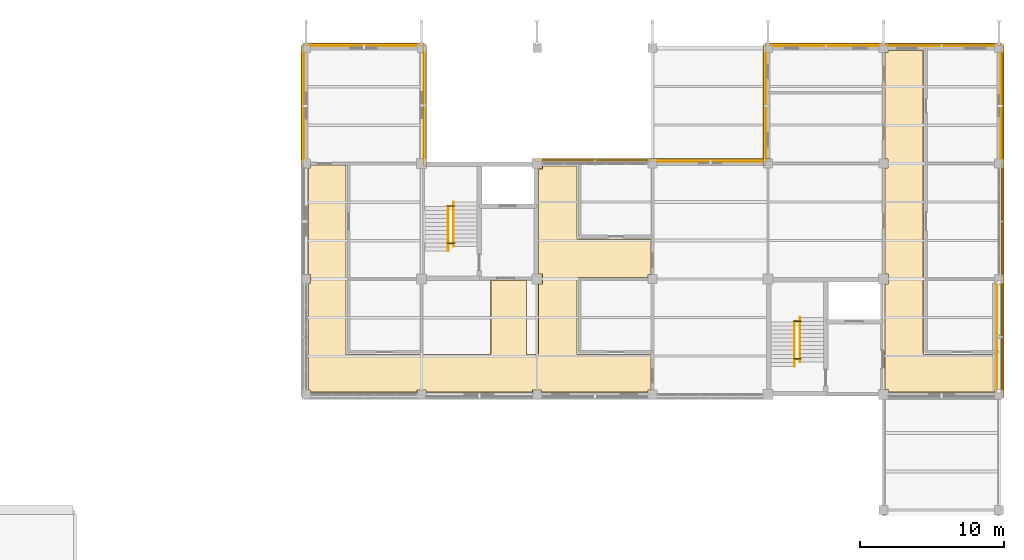
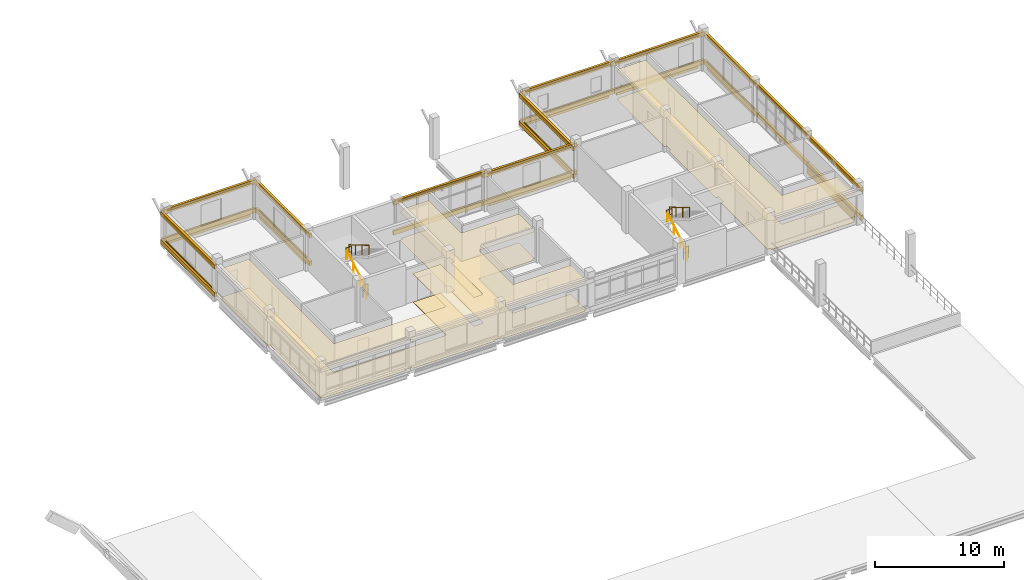
# One storey, part 35 of 35: 35 coverings, 11 shading devices, 8 railings.
"""IFC4 building model written with IfcOpenShell, lengths in metres."""

from ifc_helpers import new_model, si_unit, derived_unit, direction, frame, origin, origin_2d, place, context, subcontext, project, spatial, polyline, rectangle, circle, outline, extrude, material, layer, layer_set, material_profile, profile_set, type_object, element, save


model = new_model("IFC4")

# Units and contexts
model_context = context("Model", 3, precision=1e-05, world=origin(), true_north=direction((0.0, 1.0)))
body_context = subcontext(model_context, "Body", "Model", "MODEL_VIEW")
ifc_project = project(units=[si_unit("LENGTHUNIT", "METRE"), si_unit("AREAUNIT", "SQUARE_METRE"), si_unit("VOLUMEUNIT", "CUBIC_METRE"), si_unit("PLANEANGLEUNIT", "RADIAN"), si_unit("MASSUNIT", "GRAM", prefix="KILO"), derived_unit("THERMALTRANSMITTANCEUNIT", [(si_unit("MASSUNIT", "GRAM", prefix="KILO"), 1), (si_unit("TIMEUNIT", "SECOND"), -3), (si_unit("THERMODYNAMICTEMPERATUREUNIT", "KELVIN"), -1)])], contexts=[model_context])

# Site, building, storey
site_placement = place(None, origin())
site = spatial("IfcSite", under=ifc_project, at=site_placement, CompositionType="ELEMENT")
building_placement = place(site_placement, origin())
building = spatial("IfcBuilding", under=site, at=building_placement, Name="Veyamyaing Civic Hall", CompositionType="ELEMENT")
storey_placement = place(building_placement, frame((0.0, 0.0, 21.780029296875)))
storey = spatial("IfcBuildingStorey", under=building, at=storey_placement, Name="L05", CompositionType="ELEMENT", Elevation=21.780029296875)

# Coverings
ifc_material_1 = material(Name="Buff sandstone ashlar cladding", Category="masonry")
ifc_layer_1 = layer(ifc_material_1, 0.050048828125, Name="Buff sandstone ashlar cladding")
ifc_layer_set_1 = layer_set([ifc_layer_1], Name="Buff sandstone ashlar cladding")
covering_type_1 = type_object("IfcCoveringType", Name="CL-01", PredefinedType="CLADDING", material=ifc_layer_set_1)
for number, where, z_axis, x_axis, name in (
    (1, (132.0, 112.160888671875, 0.044921875), (0.0, 0.0, 1.0), (1.0, 0.0, 0.0), "Facade spandrel cladding CL-01 L05 N 17.14"),
    (2, (127.839111328125, 108.0, 0.044921875), (0.0, 0.0, 1.0), (0.0, 1.0, 0.0), "Facade spandrel cladding CL-01 L05 W 17.14"),
):
    element("IfcCovering", number, at=place(storey_placement, frame(where, z_axis=z_axis, x_axis=x_axis)), inside=storey, type_object=covering_type_1, Name=name, PredefinedType="CLADDING", context=body_context, shape_type="SweptSolid", body=[
        extrude(rectangle(XDim=7.35009765625, YDim=0.050048828125, at=origin_2d()), origin(), (0.0, 0.0, 1.0), 0.75),
    ])
covering_1_placement = place(storey_placement, frame((136.160888671875, 108.02490234375, 0.044921875), z_axis=(0.0, 0.0, 1.0), x_axis=(0.0, 1.0, 0.0)))
element("IfcCovering", 3, at=covering_1_placement, inside=storey, type_object=covering_type_1, Name="Facade spandrel cladding CL-01 L05 E 17.14", PredefinedType="CLADDING", context=body_context, shape_type="SweptSolid", body=[
    extrude(rectangle(XDim=7.300048828125, YDim=0.050048828125, at=origin_2d()), origin(), (0.0, 0.0, 1.0), 0.75),
])
for number, where, z_axis, x_axis, name in (
    (4, (156.0, 104.160888671875, 0.044921875), (0.0, 0.0, 1.0), (1.0, 0.0, 0.0), "Facade spandrel cladding CL-01 L05 N 20.13"),
    (5, (164.0, 112.160888671875, 0.044921875), (0.0, 0.0, 1.0), (1.0, 0.0, 0.0), "Facade spandrel cladding CL-01 L05 N 21.14"),
    (6, (159.839111328125, 108.0, 0.044921875), (0.0, 0.0, 1.0), (0.0, 1.0, 0.0), "Facade spandrel cladding CL-01 L05 W 21.14"),
):
    element("IfcCovering", number, at=place(storey_placement, frame(where, z_axis=z_axis, x_axis=x_axis)), inside=storey, type_object=covering_type_1, Name=name, PredefinedType="CLADDING", context=body_context, shape_type="SweptSolid", body=[
        extrude(rectangle(XDim=7.35009765625, YDim=0.050048828125, at=origin_2d()), origin(), (0.0, 0.0, 1.0), 0.75),
    ])
ifc_material_2 = material(Name="Turquoise glazed ceramic tile cladding", Category="masonry")
ifc_layer_2 = layer(ifc_material_2, 0.034912109375, Name="Turquoise glazed ceramic tile cladding")
ifc_layer_set_2 = layer_set([ifc_layer_2], Name="Turquoise glazed ceramic tile cladding")
covering_type_2 = type_object("IfcCoveringType", Name="CL-02", PredefinedType="CLADDING", material=ifc_layer_set_2)
for number, where, z_axis, x_axis, name in (
    (7, (175.853515625, 92.0, 0.044921875), (0.0, 0.0, 1.0), (0.0, 1.0, 0.0), "Facade spandrel cladding CL-02 L05 E 22.12"),
    (8, (172.0, 112.153564453125, 0.044921875), (0.0, 0.0, 1.0), (1.0, 0.0, 0.0), "Facade spandrel cladding CL-02 L05 N 22.14"),
    (9, (176.153564453125, 108.0, 0.044921875), (0.0, 0.0, 1.0), (0.0, 1.0, 0.0), "Facade spandrel cladding CL-02 L05 E 22.14"),
):
    element("IfcCovering", number, at=place(storey_placement, frame(where, z_axis=z_axis, x_axis=x_axis)), inside=storey, type_object=covering_type_2, Name=name, PredefinedType="CLADDING", context=body_context, shape_type="SweptSolid", body=[
        extrude(rectangle(XDim=7.35009765625, YDim=0.034912109375, at=origin_2d()), origin(), (0.0, 0.0, 1.0), 0.75),
    ])
ifc_material_3 = material(Name="White powder-coated aluminium 6063-T6", Category="aluminium")
ifc_layer_3 = layer(ifc_material_3, 0.2099609375, Name="White powder-coated aluminium 6063-T6")
ifc_layer_set_3 = layer_set([ifc_layer_3], Name="White powder-coated aluminium 6063-T6")
covering_type_3 = type_object("IfcCoveringType", Name="CL-03", PredefinedType="CLADDING", material=ifc_layer_set_3)
for number, where, z_axis, x_axis, name in (
    (10, (132.0, 112.239990234375, 2.991943359375), (0.0, 0.0, 1.0), (1.0, 0.0, 0.0), "Continuous white head fascia ribbon CL-03 L05 N 17.14"),
    (11, (132.0, 112.239990234375, 0.280029296875), (0.0, 0.0, 1.0), (1.0, 0.0, 0.0), "Continuous white sill fascia ribbon CL-03 L05 N 17.14"),
    (12, (127.760009765625, 108.0, 2.928955078125), (0.0, 0.0, 1.0), (0.0, 1.0, 0.0), "Continuous white head fascia ribbon CL-03 L05 W 17.14"),
    (13, (127.760009765625, 108.0, 0.280029296875), (0.0, 0.0, 1.0), (0.0, 1.0, 0.0), "Continuous white sill fascia ribbon CL-03 L05 W 17.14"),
    (14, (136.239990234375, 108.0, 2.87890625), (0.0, 0.0, 1.0), (0.0, 1.0, 0.0), "Continuous white head fascia ribbon CL-03 L05 E 17.14"),
    (15, (136.239990234375, 108.0, 0.280029296875), (0.0, 0.0, 1.0), (0.0, 1.0, 0.0), "Continuous white sill fascia ribbon CL-03 L05 E 17.14"),
    (16, (148.0, 104.239990234375, 3.089111328125), (0.0, 0.0, 1.0), (1.0, 0.0, 0.0), "Continuous white head fascia ribbon CL-03 L05 N 19.13"),
    (17, (148.0, 104.239990234375, 0.280029296875), (0.0, 0.0, 1.0), (1.0, 0.0, 0.0), "Continuous white sill fascia ribbon CL-03 L05 N 19.13"),
    (18, (156.0, 104.239990234375, 2.884033203125), (0.0, 0.0, 1.0), (1.0, 0.0, 0.0), "Continuous white head fascia ribbon CL-03 L05 N 20.13"),
    (19, (156.0, 104.239990234375, 0.280029296875), (0.0, 0.0, 1.0), (1.0, 0.0, 0.0), "Continuous white sill fascia ribbon CL-03 L05 N 20.13"),
    (20, (164.0, 112.239990234375, 2.991943359375), (0.0, 0.0, 1.0), (1.0, 0.0, 0.0), "Continuous white head fascia ribbon CL-03 L05 N 21.14"),
    (21, (164.0, 112.239990234375, 0.280029296875), (0.0, 0.0, 1.0), (1.0, 0.0, 0.0), "Continuous white sill fascia ribbon CL-03 L05 N 21.14"),
    (22, (159.760009765625, 108.0, 2.87890625), (0.0, 0.0, 1.0), (0.0, 1.0, 0.0), "Continuous white head fascia ribbon CL-03 L05 W 21.14"),
    (23, (159.760009765625, 108.0, 0.280029296875), (0.0, 0.0, 1.0), (0.0, 1.0, 0.0), "Continuous white sill fascia ribbon CL-03 L05 W 21.14"),
    (24, (176.239990234375, 92.0, 2.928955078125), (0.0, 0.0, 1.0), (0.0, 1.0, 0.0), "Continuous white head fascia ribbon CL-03 L05 E 22.12"),
    (25, (176.239990234375, 92.0, 0.280029296875), (0.0, 0.0, 1.0), (0.0, 1.0, 0.0), "Continuous white sill fascia ribbon CL-03 L05 E 22.12"),
    (26, (176.239990234375, 100.0, 2.991943359375), (0.0, 0.0, 1.0), (0.0, 1.0, 0.0), "Continuous white head fascia ribbon CL-03 L05 E 22.13"),
    (27, (176.239990234375, 100.0, 0.280029296875), (0.0, 0.0, 1.0), (0.0, 1.0, 0.0), "Continuous white sill fascia ribbon CL-03 L05 E 22.13"),
    (28, (172.0, 112.239990234375, 2.925048828125), (0.0, 0.0, 1.0), (1.0, 0.0, 0.0), "Continuous white head fascia ribbon CL-03 L05 N 22.14"),
    (29, (172.0, 112.239990234375, 0.280029296875), (0.0, 0.0, 1.0), (1.0, 0.0, 0.0), "Continuous white sill fascia ribbon CL-03 L05 N 22.14"),
    (30, (176.239990234375, 108.0, 2.925048828125), (0.0, 0.0, 1.0), (0.0, 1.0, 0.0), "Continuous white head fascia ribbon CL-03 L05 E 22.14"),
    (31, (176.239990234375, 108.0, 0.280029296875), (0.0, 0.0, 1.0), (0.0, 1.0, 0.0), "Continuous white sill fascia ribbon CL-03 L05 E 22.14"),
):
    element("IfcCovering", number, at=place(storey_placement, frame(where, z_axis=z_axis, x_axis=x_axis)), inside=storey, type_object=covering_type_3, Name=name, PredefinedType="CLADDING", context=body_context, shape_type="SweptSolid", body=[
        extrude(rectangle(XDim=8.360107421875, YDim=0.2099609375, at=origin_2d()), origin(), (0.0, 0.0, 1.0), 0.39990234375),
    ])
ifc_material_4 = material(Name="Perforated acoustic gypsum ceiling board")
ifc_layer_4 = layer(ifc_material_4, 0.02490234375, Name="Perforated acoustic gypsum ceiling board")
ifc_layer_set_4 = layer_set([ifc_layer_4], Name="Perforated acoustic gypsum ceiling board")
covering_type_4 = type_object("IfcCoveringType", Name="CLG-01", PredefinedType="CEILING", material=ifc_layer_set_4)
covering_2_placement = place(storey_placement, frame((0.0, 0.0, 2.699951171875)))
element("IfcCovering", 32, at=covering_2_placement, inside=storey, type_object=covering_type_4, Name="Acoustic suspended ceiling CLG-01 L05-C03", PredefinedType="CEILING", context=body_context, shape_type="SweptSolid", body=[
    extrude(outline(polyline([(130.77685546875, 90.834716796875), (130.783935546875, 90.8154296875), (130.802734375, 90.79248046875), (130.8291015625, 90.7783203125), (130.851806640625, 90.77490234375), (140.697509765625, 90.77490234375), (140.729248046875, 90.78125), (140.747314453125, 90.792236328125), (140.76220703125, 90.80859375), (140.771484375, 90.828369140625), (140.77490234375, 90.851806640625), (140.77490234375, 95.925048828125), (143.27490234375, 95.925048828125), (143.27685546875, 90.8349609375), (143.283935546875, 90.8154296875), (143.30322265625, 90.7919921875), (143.3212890625, 90.781005859375), (143.34326171875, 90.775390625), (143.99755859375, 90.77490234375), (144.028564453125, 90.78125), (144.052734375, 90.79736328125), (144.06884765625, 90.821533203125), (144.074951171875, 90.8525390625), (144.074951171875, 95.6650390625), (144.3349609375, 95.6650390625), (144.3349609375, 96.3349609375), (144.074951171875, 96.3349609375), (144.074951171875, 103.6650390625), (144.3349609375, 103.6650390625), (144.3349609375, 103.844970703125), (146.77490234375, 103.844970703125), (146.77490234375, 98.851318359375), (146.776611328125, 98.8359375), (146.7841796875, 98.814208984375), (146.791748046875, 98.802978515625), (146.80859375, 98.787841796875), (146.828369140625, 98.778564453125), (146.851806640625, 98.77490234375), (151.925048828125, 98.77490234375), (151.925048828125, 96.284912109375), (151.715087890625, 96.284912109375), (151.715087890625, 96.074951171875), (146.8525390625, 96.074951171875), (146.821533203125, 96.06884765625), (146.79736328125, 96.052734375), (146.78125, 96.028564453125), (146.77490234375, 95.99755859375), (146.77490234375, 90.851806640625), (146.778564453125, 90.828369140625), (146.787841796875, 90.80859375), (146.802978515625, 90.791748046875), (146.814697265625, 90.783935546875), (146.82763671875, 90.778564453125), (146.851806640625, 90.77490234375), (151.925048828125, 90.77490234375), (151.925048828125, 88.284912109375), (151.715087890625, 88.284912109375), (151.715087890625, 88.155029296875), (144.284912109375, 88.155029296875), (144.284912109375, 88.284912109375), (143.715087890625, 88.284912109375), (143.715087890625, 88.155029296875), (136.284912109375, 88.155029296875), (136.284912109375, 88.284912109375), (135.715087890625, 88.284912109375), (135.715087890625, 88.155029296875), (128.284912109375, 88.155029296875), (128.284912109375, 88.284912109375), (128.155029296875, 88.284912109375), (128.155029296875, 95.715087890625), (128.284912109375, 95.715087890625), (128.284912109375, 96.284912109375), (128.155029296875, 96.284912109375), (128.155029296875, 103.715087890625), (128.284912109375, 103.715087890625), (128.284912109375, 103.925048828125), (130.77490234375, 103.925048828125), (130.77685546875, 90.834716796875)])), origin(), (0.0, 0.0, 1.0), 0.02490234375),
])
covering_3_placement = place(storey_placement, frame((0.0, 0.0, 2.699951171875)))
element("IfcCovering", 33, at=covering_3_placement, inside=storey, type_object=covering_type_4, Name="Acoustic suspended ceiling CLG-01 L05-C04", PredefinedType="CEILING", context=body_context, shape_type="SweptSolid", body=[
    extrude(outline(polyline([(170.775390625, 90.843994140625), (170.7841796875, 90.81494140625), (170.802734375, 90.79248046875), (170.8291015625, 90.7783203125), (170.851806640625, 90.77490234375), (175.844970703125, 90.77490234375), (175.844970703125, 88.284912109375), (175.715087890625, 88.284912109375), (175.715087890625, 88.155029296875), (168.3349609375, 88.155029296875), (168.3349609375, 88.3349609375), (168.074951171875, 88.3349609375), (168.074951171875, 95.6650390625), (168.3349609375, 95.6650390625), (168.3349609375, 96.3349609375), (168.074951171875, 96.3349609375), (168.074951171875, 103.715087890625), (168.284912109375, 103.715087890625), (168.284912109375, 104.284912109375), (168.074951171875, 104.284912109375), (168.074951171875, 111.715087890625), (168.284912109375, 111.715087890625), (168.284912109375, 111.844970703125), (170.77490234375, 111.844970703125), (170.775390625, 90.843994140625)])), origin(), (0.0, 0.0, 1.0), 0.02490234375),
])
ifc_material_5 = material(Name="Polished Mandalay marble and terrazzo flooring", Category="masonry")
ifc_layer_5 = layer(ifc_material_5, 0.030029296875, Name="Polished Mandalay marble and terrazzo flooring")
ifc_layer_set_5 = layer_set([ifc_layer_5], Name="Polished Mandalay marble and terrazzo flooring")
covering_type_5 = type_object("IfcCoveringType", Name="FLR-01", PredefinedType="FLOORING", material=ifc_layer_set_5)
covering_4_placement = place(storey_placement, origin())
element("IfcCovering", 34, at=covering_4_placement, inside=storey, type_object=covering_type_5, Name="Stone and terrazzo flooring FLR-01 L05-C03", PredefinedType="FLOORING", context=body_context, shape_type="SweptSolid", body=[
    extrude(outline(polyline([(130.751953125, 90.83056640625), (130.76171875, 90.802978515625), (130.78662109375, 90.772705078125), (130.821044921875, 90.75439453125), (130.85009765625, 90.75), (140.699951171875, 90.75), (140.73828125, 90.757568359375), (140.763427734375, 90.772705078125), (140.783203125, 90.79443359375), (140.795654296875, 90.821044921875), (140.800048828125, 90.85009765625), (140.800048828125, 95.89990234375), (143.25, 95.89990234375), (143.251953125, 90.83056640625), (143.26171875, 90.802978515625), (143.28662109375, 90.772705078125), (143.311767578125, 90.757568359375), (143.340087890625, 90.75048828125), (144.0, 90.75), (144.038330078125, 90.757568359375), (144.07080078125, 90.779296875), (144.09228515625, 90.811767578125), (144.10009765625, 90.85009765625), (144.10009765625, 95.639892578125), (144.360107421875, 95.639892578125), (144.360107421875, 96.360107421875), (144.10009765625, 96.360107421875), (144.10009765625, 103.639892578125), (144.360107421875, 103.639892578125), (144.360107421875, 103.820068359375), (146.75, 103.820068359375), (146.75, 98.85009765625), (146.751953125, 98.83056640625), (146.76171875, 98.802978515625), (146.772705078125, 98.78662109375), (146.79443359375, 98.766845703125), (146.821044921875, 98.75439453125), (146.85009765625, 98.75), (151.89990234375, 98.75), (151.89990234375, 96.31005859375), (151.68994140625, 96.31005859375), (151.68994140625, 96.10009765625), (146.85009765625, 96.10009765625), (146.811767578125, 96.09228515625), (146.779296875, 96.07080078125), (146.757568359375, 96.038330078125), (146.75, 96.0), (146.75, 90.85009765625), (146.75439453125, 90.821044921875), (146.766845703125, 90.79443359375), (146.78662109375, 90.772705078125), (146.802978515625, 90.76171875), (146.821044921875, 90.75439453125), (146.85009765625, 90.75), (151.89990234375, 90.75), (151.89990234375, 88.31005859375), (151.68994140625, 88.31005859375), (151.68994140625, 88.179931640625), (144.31005859375, 88.179931640625), (144.31005859375, 88.31005859375), (143.68994140625, 88.31005859375), (143.68994140625, 88.179931640625), (136.31005859375, 88.179931640625), (136.31005859375, 88.31005859375), (135.68994140625, 88.31005859375), (135.68994140625, 88.179931640625), (128.31005859375, 88.179931640625), (128.31005859375, 88.31005859375), (128.179931640625, 88.31005859375), (128.179931640625, 95.68994140625), (128.31005859375, 95.68994140625), (128.31005859375, 96.31005859375), (128.179931640625, 96.31005859375), (128.179931640625, 103.68994140625), (128.31005859375, 103.68994140625), (128.31005859375, 103.89990234375), (130.75, 103.89990234375), (130.751953125, 90.83056640625)])), origin(), (0.0, 0.0, 1.0), 0.030029296875),
])
covering_5_placement = place(storey_placement, origin())
element("IfcCovering", 35, at=covering_5_placement, inside=storey, type_object=covering_type_5, Name="Stone and terrazzo flooring FLR-01 L05-C04", PredefinedType="FLOORING", context=body_context, shape_type="SweptSolid", body=[
    extrude(outline(polyline([(170.75048828125, 90.840087890625), (170.76171875, 90.802978515625), (170.78662109375, 90.772705078125), (170.821044921875, 90.75439453125), (170.85009765625, 90.75), (175.820068359375, 90.75), (175.820068359375, 88.31005859375), (175.68994140625, 88.31005859375), (175.68994140625, 88.179931640625), (168.360107421875, 88.179931640625), (168.360107421875, 88.360107421875), (168.10009765625, 88.360107421875), (168.10009765625, 95.639892578125), (168.360107421875, 95.639892578125), (168.360107421875, 96.360107421875), (168.10009765625, 96.360107421875), (168.10009765625, 103.68994140625), (168.31005859375, 103.68994140625), (168.31005859375, 104.31005859375), (168.10009765625, 104.31005859375), (168.10009765625, 111.68994140625), (168.31005859375, 111.68994140625), (168.31005859375, 111.820068359375), (170.75, 111.820068359375), (170.75048828125, 90.840087890625)])), origin(), (0.0, 0.0, 1.0), 0.030029296875),
])

# Railings
ifc_material_6 = material(Name="Steel S355J2", Category="steel")
railing_type_1 = type_object("IfcRailingType", Name="RL-01", PredefinedType="BALUSTRADE", material=ifc_material_6)
railing_1_placement = place(storey_placement, frame((161.780029296875, 93.070068359375, 1.97998046875)))
element("IfcRailing", 36, at=railing_1_placement, inside=storey, type_object=railing_type_1, Name="Half-landing slot guard RL-01 ST-03 L05", PredefinedType="BALUSTRADE", context=body_context, shape_type="SweptSolid", body=[
    extrude(circle(Radius=0.02392578125, at=origin_2d()), frame((0.0, 0.0, 1.076171875), z_axis=(1.0, 0.0, 0.0), x_axis=(0.0, 1.0, 0.0)), (0.0, 0.0, 1.0), 0.489990234375),
    extrude(circle(Radius=0.01416015625, at=origin_2d()), frame((0.0, 0.0, 0.572021484375), z_axis=(1.0, 0.0, 0.0), x_axis=(0.0, 1.0, 0.0)), (0.0, 0.0, 1.0), 0.489990234375),
    extrude(circle(Radius=0.02099609375, at=origin_2d()), origin(), (0.0, 0.0, 1.0), 1.052001953125),
    extrude(circle(Radius=0.02099609375, at=origin_2d()), frame((0.489990234375, 0.0, 0.0)), (0.0, 0.0, 1.0), 1.052001953125),
])
railing_2_placement = place(storey_placement, frame((161.800048828125, 90.47998046875, 0.0)))
element("IfcRailing", 37, at=railing_2_placement, inside=storey, type_object=railing_type_1, Name="Floor-landing slot guard RL-01 ST-03 L05", PredefinedType="BALUSTRADE", context=body_context, shape_type="SweptSolid", body=[
    extrude(circle(Radius=0.02392578125, at=origin_2d()), frame((0.0, 0.0, 1.076171875), z_axis=(1.0, 0.0, 0.0), x_axis=(0.0, 1.0, 0.0)), (0.0, 0.0, 1.0), 0.469970703125),
    extrude(circle(Radius=0.01416015625, at=origin_2d()), frame((0.0, 0.0, 0.572021484375), z_axis=(1.0, 0.0, 0.0), x_axis=(0.0, 1.0, 0.0)), (0.0, 0.0, 1.0), 0.469970703125),
    extrude(circle(Radius=0.02099609375, at=origin_2d()), origin(), (0.0, 0.0, 1.0), 1.052001953125),
    extrude(circle(Radius=0.02099609375, at=origin_2d()), frame((0.469970703125, 0.0, 0.0)), (0.0, 0.0, 1.0), 1.052001953125),
])
railing_3_placement = place(storey_placement, frame((137.780029296875, 101.070068359375, 1.97998046875)))
element("IfcRailing", 38, at=railing_3_placement, inside=storey, type_object=railing_type_1, Name="Half-landing slot guard RL-01 ST-04 L05", PredefinedType="BALUSTRADE", context=body_context, shape_type="SweptSolid", body=[
    extrude(circle(Radius=0.02392578125, at=origin_2d()), frame((0.0, 0.0, 1.076171875), z_axis=(1.0, 0.0, 0.0), x_axis=(0.0, 1.0, 0.0)), (0.0, 0.0, 1.0), 0.489990234375),
    extrude(circle(Radius=0.01416015625, at=origin_2d()), frame((0.0, 0.0, 0.572021484375), z_axis=(1.0, 0.0, 0.0), x_axis=(0.0, 1.0, 0.0)), (0.0, 0.0, 1.0), 0.489990234375),
    extrude(circle(Radius=0.02099609375, at=origin_2d()), origin(), (0.0, 0.0, 1.0), 1.052001953125),
    extrude(circle(Radius=0.02099609375, at=origin_2d()), frame((0.489990234375, 0.0, 0.0)), (0.0, 0.0, 1.0), 1.052001953125),
])
railing_4_placement = place(storey_placement, frame((137.800048828125, 98.47998046875, 0.0)))
element("IfcRailing", 39, at=railing_4_placement, inside=storey, type_object=railing_type_1, Name="Floor-landing slot guard RL-01 ST-04 L05", PredefinedType="BALUSTRADE", context=body_context, shape_type="SweptSolid", body=[
    extrude(circle(Radius=0.02392578125, at=origin_2d()), frame((0.0, 0.0, 1.076171875), z_axis=(1.0, 0.0, 0.0), x_axis=(0.0, 1.0, 0.0)), (0.0, 0.0, 1.0), 0.469970703125),
    extrude(circle(Radius=0.01416015625, at=origin_2d()), frame((0.0, 0.0, 0.572021484375), z_axis=(1.0, 0.0, 0.0), x_axis=(0.0, 1.0, 0.0)), (0.0, 0.0, 1.0), 0.469970703125),
    extrude(circle(Radius=0.02099609375, at=origin_2d()), origin(), (0.0, 0.0, 1.0), 1.052001953125),
    extrude(circle(Radius=0.02099609375, at=origin_2d()), frame((0.469970703125, 0.0, 0.0)), (0.0, 0.0, 1.0), 1.052001953125),
])
railing_type_2 = type_object("IfcRailingType", Name="RL-02", PredefinedType="HANDRAIL", material=ifc_material_6)
railing_5_placement = place(storey_placement, frame((161.840087890625, 89.949951171875, 0.1650390625)))
element("IfcRailing", 40, at=railing_5_placement, inside=storey, type_object=railing_type_2, Name="Stair pitch handrail RL-02 ST-03 L05.1", PredefinedType="HANDRAIL", context=body_context, shape_type="SweptSolid", body=[
    extrude(circle(Radius=0.02392578125, at=origin_2d()), frame((0.0, 0.0, 0.89599609375), z_axis=(0.0, 0.861551262678, 0.507670583921), x_axis=(-1.0, 0.0, 0.0)), (0.0, 0.0, 1.0), 3.574951171875),
    extrude(circle(Radius=0.02099609375, at=origin_2d()), origin(), (0.0, 0.0, 1.0), 0.871826171875),
    extrude(circle(Radius=0.02099609375, at=origin_2d()), frame((0.0, 1.026611328125, 0.60498046875)), (0.0, 0.0, 1.0), 0.871826171875),
    extrude(circle(Radius=0.02099609375, at=origin_2d()), frame((0.0, 2.053466796875, 1.2099609375)), (0.0, 0.0, 1.0), 0.871826171875),
    extrude(circle(Radius=0.02099609375, at=origin_2d()), frame((0.0, 3.080078125, 1.81494140625)), (0.0, 0.0, 1.0), 0.871826171875),
])
railing_6_placement = place(storey_placement, frame((162.219970703125, 93.35009765625, 2.14501953125)))
element("IfcRailing", 41, at=railing_6_placement, inside=storey, type_object=railing_type_2, Name="Stair pitch handrail RL-02 ST-03 L05.2", PredefinedType="HANDRAIL", context=body_context, shape_type="SweptSolid", body=[
    extrude(circle(Radius=0.02392578125, at=origin_2d()), frame((0.0, 0.0, 0.89599609375), z_axis=(0.0, -0.861551262678, 0.507670583921), x_axis=(1.0, 0.0, 0.0)), (0.0, 0.0, 1.0), 3.574951171875),
    extrude(circle(Radius=0.02099609375, at=origin_2d()), origin(), (0.0, 0.0, 1.0), 0.871826171875),
    extrude(circle(Radius=0.02099609375, at=origin_2d()), frame((0.0, -1.026611328125, 0.60498046875)), (0.0, 0.0, 1.0), 0.871826171875),
    extrude(circle(Radius=0.02099609375, at=origin_2d()), frame((0.0, -2.053466796875, 1.2099609375)), (0.0, 0.0, 1.0), 0.871826171875),
    extrude(circle(Radius=0.02099609375, at=origin_2d()), frame((0.0, -3.080078125, 1.81494140625)), (0.0, 0.0, 1.0), 0.871826171875),
])
railing_7_placement = place(storey_placement, frame((137.840087890625, 97.949951171875, 0.1650390625)))
element("IfcRailing", 42, at=railing_7_placement, inside=storey, type_object=railing_type_2, Name="Stair pitch handrail RL-02 ST-04 L05.1", PredefinedType="HANDRAIL", context=body_context, shape_type="SweptSolid", body=[
    extrude(circle(Radius=0.02392578125, at=origin_2d()), frame((0.0, 0.0, 0.89599609375), z_axis=(0.0, 0.861551262678, 0.507670583921), x_axis=(-1.0, 0.0, 0.0)), (0.0, 0.0, 1.0), 3.574951171875),
    extrude(circle(Radius=0.02099609375, at=origin_2d()), origin(), (0.0, 0.0, 1.0), 0.871826171875),
    extrude(circle(Radius=0.02099609375, at=origin_2d()), frame((0.0, 1.026611328125, 0.60498046875)), (0.0, 0.0, 1.0), 0.871826171875),
    extrude(circle(Radius=0.02099609375, at=origin_2d()), frame((0.0, 2.053466796875, 1.2099609375)), (0.0, 0.0, 1.0), 0.871826171875),
    extrude(circle(Radius=0.02099609375, at=origin_2d()), frame((0.0, 3.080078125, 1.81494140625)), (0.0, 0.0, 1.0), 0.871826171875),
])
railing_8_placement = place(storey_placement, frame((138.219970703125, 101.35009765625, 2.14501953125)))
element("IfcRailing", 43, at=railing_8_placement, inside=storey, type_object=railing_type_2, Name="Stair pitch handrail RL-02 ST-04 L05.2", PredefinedType="HANDRAIL", context=body_context, shape_type="SweptSolid", body=[
    extrude(circle(Radius=0.02392578125, at=origin_2d()), frame((0.0, 0.0, 0.89599609375), z_axis=(0.0, -0.861551262678, 0.507670583921), x_axis=(1.0, 0.0, 0.0)), (0.0, 0.0, 1.0), 3.574951171875),
    extrude(circle(Radius=0.02099609375, at=origin_2d()), origin(), (0.0, 0.0, 1.0), 0.871826171875),
    extrude(circle(Radius=0.02099609375, at=origin_2d()), frame((0.0, -1.026611328125, 0.60498046875)), (0.0, 0.0, 1.0), 0.871826171875),
    extrude(circle(Radius=0.02099609375, at=origin_2d()), frame((0.0, -2.053466796875, 1.2099609375)), (0.0, 0.0, 1.0), 0.871826171875),
    extrude(circle(Radius=0.02099609375, at=origin_2d()), frame((0.0, -3.080078125, 1.81494140625)), (0.0, 0.0, 1.0), 0.871826171875),
])

# Shading devices
ifc_material_profile = material_profile(ifc_material_3, circle(Radius=0.090087890625, at=origin_2d()), Name="SHADE-TUBE-180")
ifc_profile_set = profile_set([ifc_material_profile], Name="White powder-coated aluminium 6063-T6")
shading_device_type = type_object("IfcShadingDeviceType", Name="SH-02", PredefinedType="USERDEFINED", material=ifc_profile_set)
for number, where, z_axis, x_axis, name in (
    (44, (128.284912109375, 112.239990234375, 3.15185546875), (1.0, 0.0, 0.0), (0.0, 1.0, 0.0), "Horizontal white sunshade ribbon SH-02 L05 N 17.14"),
    (45, (127.760009765625, 104.284912109375, 3.0888671875), (0.0, 1.0, 0.0), (-1.0, 0.0, 0.0), "Horizontal white sunshade ribbon SH-02 L05 W 17.14"),
):
    element("IfcShadingDevice", number, at=place(storey_placement, frame(where, z_axis=z_axis, x_axis=x_axis)), inside=storey, type_object=shading_device_type, Name=name, ObjectType="SUNSHADE", PredefinedType="USERDEFINED", context=body_context, shape_type="SweptSolid", body=[
        extrude(circle(Radius=0.090087890625, at=origin_2d()), origin(), (0.0, 0.0, 1.0), 7.43017578125),
    ])
for number, where, z_axis, x_axis, name in (
    (46, (136.239990234375, 104.3349609375, 3.0390625), (0.0, 1.0, 0.0), (-1.0, 0.0, 0.0), "Horizontal white sunshade ribbon SH-02 L05 E 17.14"),
    (47, (144.3349609375, 104.239990234375, 3.2490234375), (1.0, 0.0, 0.0), (0.0, 1.0, 0.0), "Horizontal white sunshade ribbon SH-02 L05 N 19.13"),
):
    element("IfcShadingDevice", number, at=place(storey_placement, frame(where, z_axis=z_axis, x_axis=x_axis)), inside=storey, type_object=shading_device_type, Name=name, ObjectType="SUNSHADE", PredefinedType="USERDEFINED", context=body_context, shape_type="SweptSolid", body=[
        extrude(circle(Radius=0.090087890625, at=origin_2d()), origin(), (0.0, 0.0, 1.0), 7.380126953125),
    ])
for number, where, z_axis, x_axis, name in (
    (48, (152.284912109375, 104.239990234375, 3.0439453125), (1.0, 0.0, 0.0), (0.0, 1.0, 0.0), "Horizontal white sunshade ribbon SH-02 L05 N 20.13"),
    (49, (160.284912109375, 112.239990234375, 3.15185546875), (1.0, 0.0, 0.0), (0.0, 1.0, 0.0), "Horizontal white sunshade ribbon SH-02 L05 N 21.14"),
    (50, (159.760009765625, 104.284912109375, 3.0390625), (0.0, 1.0, 0.0), (-1.0, 0.0, 0.0), "Horizontal white sunshade ribbon SH-02 L05 W 21.14"),
    (51, (176.239990234375, 88.284912109375, 3.0888671875), (0.0, 1.0, 0.0), (-1.0, 0.0, 0.0), "Horizontal white sunshade ribbon SH-02 L05 E 22.12"),
    (52, (176.239990234375, 96.284912109375, 3.15185546875), (0.0, 1.0, 0.0), (-1.0, 0.0, 0.0), "Horizontal white sunshade ribbon SH-02 L05 E 22.13"),
    (53, (168.284912109375, 112.239990234375, 3.0849609375), (1.0, 0.0, 0.0), (0.0, 1.0, 0.0), "Horizontal white sunshade ribbon SH-02 L05 N 22.14"),
    (54, (176.239990234375, 104.284912109375, 3.0849609375), (0.0, 1.0, 0.0), (-1.0, 0.0, 0.0), "Horizontal white sunshade ribbon SH-02 L05 E 22.14"),
):
    element("IfcShadingDevice", number, at=place(storey_placement, frame(where, z_axis=z_axis, x_axis=x_axis)), inside=storey, type_object=shading_device_type, Name=name, ObjectType="SUNSHADE", PredefinedType="USERDEFINED", context=body_context, shape_type="SweptSolid", body=[
        extrude(circle(Radius=0.090087890625, at=origin_2d()), origin(), (0.0, 0.0, 1.0), 7.43017578125),
    ])

save(model, "model.ifc")
